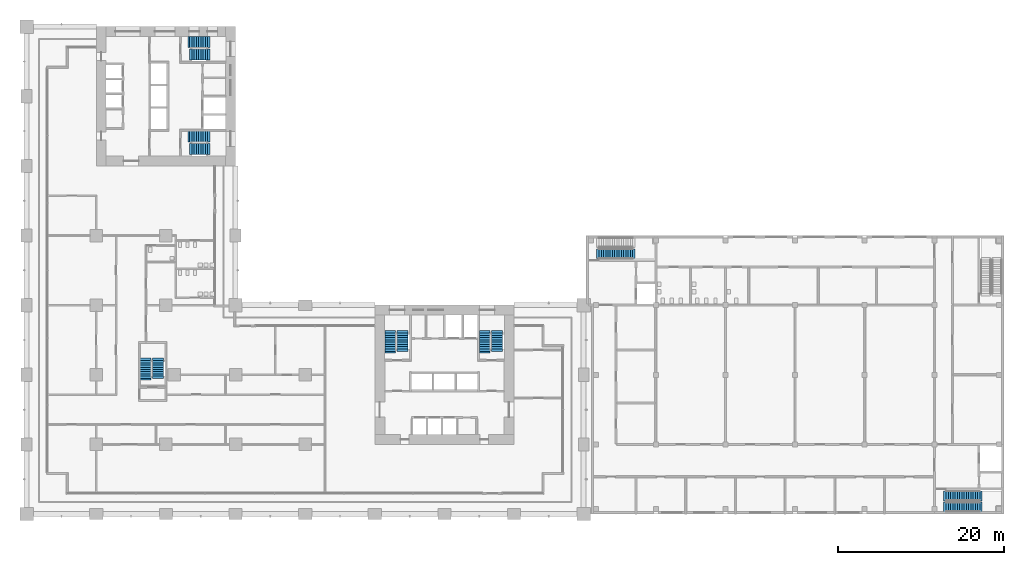
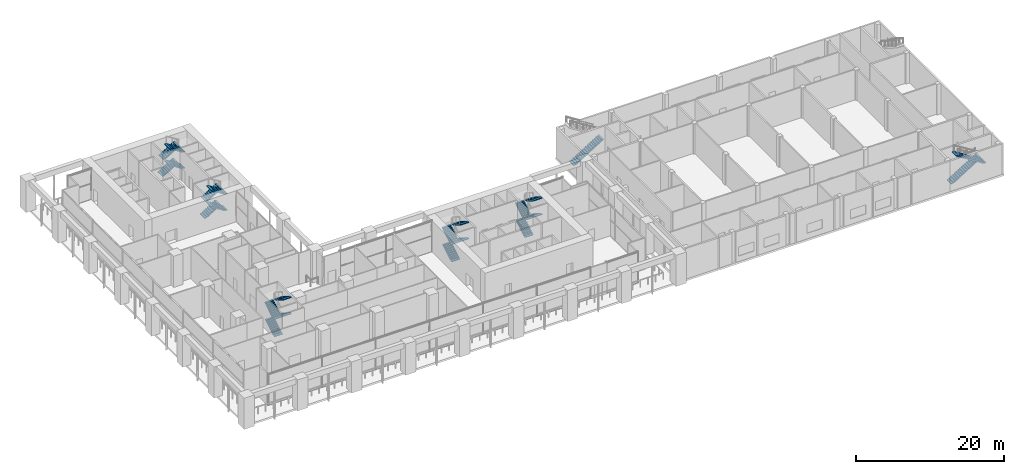
# One storey, part 22 of 32: 23 stair flights, 7 elements without a shape of their own.
"""IFC4 building model written with IfcOpenShell, lengths in metres."""

from ifc_helpers import new_model, si_unit, direction, frame, origin, place, context, subcontext, project, spatial, polyline, outline, extrude, material, type_object, element, aggregate, save


model = new_model("IFC4")

# Units and contexts
model_context = context("Model", 3, precision=1e-05, world=origin(), true_north=direction((0.0, 1.0)))
body_context = subcontext(model_context, "Body", "Model", "MODEL_VIEW")
ifc_project = project(units=[si_unit("LENGTHUNIT", "METRE"), si_unit("AREAUNIT", "SQUARE_METRE"), si_unit("VOLUMEUNIT", "CUBIC_METRE"), si_unit("PLANEANGLEUNIT", "RADIAN"), si_unit("MASSUNIT", "GRAM", prefix="KILO")], contexts=[model_context])

# Site, building, storey
site_placement = place(None, origin())
site = spatial("IfcSite", under=ifc_project, at=site_placement, CompositionType="ELEMENT")
building_placement = place(site_placement, origin())
building = spatial("IfcBuilding", under=site, at=building_placement, Name="Vermilion Gate Residences", CompositionType="ELEMENT")
storey_placement = place(building_placement, frame((0.0, 0.0, 19.800048828125)))
storey = spatial("IfcBuildingStorey", under=building, at=storey_placement, Name="L03", CompositionType="ELEMENT", Elevation=19.800048828125)

# Stair, stair flight
ifc_material_1 = material(Name="Concrete C35", Category="concrete")
stair_type_1 = type_object("IfcStairType", Name="RC STAIR 1200 (MARKET HALL)", PredefinedType="HALF_TURN_STAIR", material=ifc_material_1)
stair_1_placement = place(storey_placement, origin())
stair_1 = element("IfcStair", 1, at=stair_1_placement, inside=storey, type_object=stair_type_1, Name="Stair STH1-03", PredefinedType="HALF_TURN_STAIR")
ifc_material_2 = material(Name="Concrete C35", Category="concrete")
stair_flight_type_1 = type_object("IfcStairFlightType", Name="RC STAIR FLIGHT 1200 (MARKET HALL)", PredefinedType="STRAIGHT", material=ifc_material_2)
stair_flight_1_placement = place(storey_placement, frame((69.050048828125, 31.39990234375, 0.0), z_axis=(0.0, 0.0, 1.0), x_axis=(1.0, 0.0, 0.0)))
stair_flight_1 = element("IfcStairFlight", 2, at=stair_flight_1_placement, type_object=stair_flight_type_1, Name="STH1-03 flight 1", NumberOfRisers=16, NumberOfTreads=15, PredefinedType="STRAIGHT", RiserHeight=0.16875, TreadLength=0.27, context=body_context, shape_type="SweptSolid", body=[
    extrude(outline(polyline([(-0.300048828125, -0.14990234375), (-0.300048828125, -0.030029296875), (0.0, 0.0), (0.0, 0.168701171875), (0.27001953125, 0.168701171875), (0.27001953125, 0.33740234375), (0.5400390625, 0.33740234375), (0.5400390625, 0.50634765625), (0.81005859375, 0.50634765625), (0.81005859375, 0.675048828125), (1.080078125, 0.675048828125), (1.080078125, 0.84375), (1.35009765625, 0.84375), (1.35009765625, 1.012451171875), (1.6201171875, 1.012451171875), (1.6201171875, 1.18115234375), (1.889892578125, 1.18115234375), (1.889892578125, 1.35009765625), (2.159912109375, 1.35009765625), (2.159912109375, 1.518798828125), (2.429931640625, 1.518798828125), (2.429931640625, 1.6875), (2.699951171875, 1.6875), (2.699951171875, 1.856201171875), (2.969970703125, 1.856201171875), (2.969970703125, 2.02490234375), (3.239990234375, 2.02490234375), (3.239990234375, 2.19384765625), (3.510009765625, 2.19384765625), (3.510009765625, 2.362548828125), (3.780029296875, 2.362548828125), (3.780029296875, 2.53125), (4.050048828125, 2.53125), (4.050048828125, 2.699951171875), (4.35009765625, 2.669921875), (4.35009765625, 2.550048828125), (4.050048828125, 2.3544921875), (0.28271484375, 0.0), (-0.300048828125, -0.14990234375)])), frame((0.0, 0.60009765625, 0.0), z_axis=(0.0, -1.0, 0.0), x_axis=(1.0, 0.0, 0.0)), (0.0, 0.0, 1.0), 1.199951171875),
])
aggregate(stair_1, [stair_flight_1])

# Stair, stair flights
stair_2_placement = place(storey_placement, origin())
stair_2 = element("IfcStair", 3, at=stair_2_placement, inside=storey, type_object=stair_type_1, Name="Stair STH2-03", PredefinedType="HALF_TURN_STAIR")
stair_flight_2_placement = place(storey_placement, frame((110.925048828125, 2.199951171875, 0.0), z_axis=(0.0, 0.0, 1.0), x_axis=(1.0, 0.0, 0.0)))
stair_flight_2 = element("IfcStairFlight", 4, at=stair_flight_2_placement, type_object=stair_flight_type_1, Name="STH2-03 flight 1", NumberOfRisers=16, NumberOfTreads=15, PredefinedType="STRAIGHT", RiserHeight=0.16875, TreadLength=0.27, context=body_context, shape_type="SweptSolid", body=[
    extrude(outline(polyline([(-0.300048828125, -0.14990234375), (-0.300048828125, -0.030029296875), (0.0, 0.0), (0.0, 0.168701171875), (0.27001953125, 0.168701171875), (0.27001953125, 0.33740234375), (0.5400390625, 0.33740234375), (0.5400390625, 0.50634765625), (0.81005859375, 0.50634765625), (0.81005859375, 0.675048828125), (1.080078125, 0.675048828125), (1.080078125, 0.84375), (1.35009765625, 0.84375), (1.35009765625, 1.012451171875), (1.6201171875, 1.012451171875), (1.6201171875, 1.18115234375), (1.889892578125, 1.18115234375), (1.889892578125, 1.35009765625), (2.159912109375, 1.35009765625), (2.159912109375, 1.518798828125), (2.429931640625, 1.518798828125), (2.429931640625, 1.6875), (2.699951171875, 1.6875), (2.699951171875, 1.856201171875), (2.969970703125, 1.856201171875), (2.969970703125, 2.02490234375), (3.239990234375, 2.02490234375), (3.239990234375, 2.19384765625), (3.510009765625, 2.19384765625), (3.510009765625, 2.362548828125), (3.780029296875, 2.362548828125), (3.780029296875, 2.53125), (4.050048828125, 2.53125), (4.050048828125, 2.699951171875), (4.35009765625, 2.669921875), (4.35009765625, 2.550048828125), (4.050048828125, 2.3544921875), (0.28271484375, 0.0), (-0.300048828125, -0.14990234375)])), frame((0.0, 0.60009765625, 0.0), z_axis=(0.0, -1.0, 0.0), x_axis=(1.0, 0.0, 0.0)), (0.0, 0.0, 1.0), 1.199951171875),
])
stair_flight_3_placement = place(storey_placement, frame((114.97509765625, 0.85009765625, 2.699951171875), z_axis=(0.0, 0.0, 1.0), x_axis=(-1.0, 0.0, 0.0)))
stair_flight_3 = element("IfcStairFlight", 5, at=stair_flight_3_placement, type_object=stair_flight_type_1, Name="STH2-03 flight 2", NumberOfRisers=16, NumberOfTreads=15, PredefinedType="STRAIGHT", RiserHeight=0.16875, TreadLength=0.27, context=body_context, shape_type="SweptSolid", body=[
    extrude(outline(polyline([(-0.300048828125, -0.14990234375), (-0.300048828125, -0.030029296875), (0.0, 0.0), (0.0, 0.168701171875), (0.27001953125, 0.168701171875), (0.27001953125, 0.33740234375), (0.5400390625, 0.33740234375), (0.5400390625, 0.50634765625), (0.81005859375, 0.50634765625), (0.81005859375, 0.675048828125), (1.080078125, 0.675048828125), (1.080078125, 0.84375), (1.35009765625, 0.84375), (1.35009765625, 1.012451171875), (1.6201171875, 1.012451171875), (1.6201171875, 1.18115234375), (1.889892578125, 1.18115234375), (1.889892578125, 1.35009765625), (2.159912109375, 1.35009765625), (2.159912109375, 1.518798828125), (2.429931640625, 1.518798828125), (2.429931640625, 1.6875), (2.699951171875, 1.6875), (2.699951171875, 1.856201171875), (2.969970703125, 1.856201171875), (2.969970703125, 2.02490234375), (3.239990234375, 2.02490234375), (3.239990234375, 2.19384765625), (3.510009765625, 2.19384765625), (3.510009765625, 2.362548828125), (3.780029296875, 2.362548828125), (3.780029296875, 2.53125), (4.050048828125, 2.53125), (4.050048828125, 2.699951171875), (4.35009765625, 2.669921875), (4.35009765625, 2.550048828125), (4.050048828125, 2.3544921875), (0.28271484375, 0.0), (-0.300048828125, -0.14990234375)])), frame((0.0, 0.60009765625, 0.0), z_axis=(0.0, -1.0, 0.0), x_axis=(1.0, 0.0, 0.0)), (0.0, 0.0, 1.0), 1.199951171875),
])
aggregate(stair_2, [stair_flight_2, stair_flight_3])

ifc_material_3 = material(Name="Concrete C50", Category="concrete")
stair_type_2 = type_object("IfcStairType", Name="SPECIAL ESCAPE STAIR 1300", PredefinedType="HALF_TURN_STAIR", material=ifc_material_3)
stair_3_placement = place(storey_placement, origin())
stair_3 = element("IfcStair", 6, at=stair_3_placement, inside=storey, type_object=stair_type_2, Name="Special escape stair STA1-03", PredefinedType="HALF_TURN_STAIR")
ifc_material_4 = material(Name="Concrete C50", Category="concrete")
stair_flight_type_2 = type_object("IfcStairFlightType", Name="STAIR FLIGHT 1300 RC C50", PredefinedType="STRAIGHT", material=ifc_material_4)
stair_flight_4_placement = place(storey_placement, frame((43.85009765625, 19.75, 0.0), z_axis=(0.0, 0.0, 1.0), x_axis=(0.0, 1.0, 0.0)))
stair_flight_4 = element("IfcStairFlight", 7, at=stair_flight_4_placement, type_object=stair_flight_type_2, Name="STA1-03 flight 1", NumberOfRisers=8, NumberOfTreads=7, PredefinedType="STRAIGHT", RiserHeight=0.16875, TreadLength=0.27, context=body_context, shape_type="SweptSolid", body=[
    extrude(outline(polyline([(-0.300048828125, -0.14990234375), (-0.300048828125, -0.030029296875), (0.0, 0.0), (0.0, 0.168701171875), (0.27001953125, 0.168701171875), (0.27001953125, 0.33740234375), (0.5400390625, 0.33740234375), (0.5400390625, 0.50634765625), (0.81005859375, 0.50634765625), (0.81005859375, 0.675048828125), (1.080078125, 0.675048828125), (1.080078125, 0.84375), (1.35009765625, 0.84375), (1.35009765625, 1.012451171875), (1.6201171875, 1.012451171875), (1.6201171875, 1.18115234375), (1.889892578125, 1.18115234375), (1.889892578125, 1.35009765625), (2.18994140625, 1.320068359375), (2.18994140625, 1.2001953125), (1.889892578125, 1.00439453125), (0.28271484375, 0.0), (-0.300048828125, -0.14990234375)])), frame((0.0, 0.64990234375, 0.0), z_axis=(0.0, -1.0, 0.0), x_axis=(1.0, 0.0, 0.0)), (0.0, 0.0, 1.0), 1.300048828125),
])
stair_flight_5_placement = place(storey_placement, frame((45.35009765625, 21.820068359375, 1.349853515625), z_axis=(0.0, 0.0, 1.0), x_axis=(0.0, -1.0, 0.0)))
stair_flight_5 = element("IfcStairFlight", 8, at=stair_flight_5_placement, type_object=stair_flight_type_2, Name="STA1-03 flight 2", NumberOfRisers=8, NumberOfTreads=7, PredefinedType="STRAIGHT", RiserHeight=0.16875, TreadLength=0.27, context=body_context, shape_type="SweptSolid", body=[
    extrude(outline(polyline([(-0.300048828125, -0.14990234375), (-0.300048828125, -0.030029296875), (0.0, 0.0), (0.0, 0.168701171875), (0.27001953125, 0.168701171875), (0.27001953125, 0.33740234375), (0.5400390625, 0.33740234375), (0.5400390625, 0.50634765625), (0.81005859375, 0.50634765625), (0.81005859375, 0.675048828125), (1.080078125, 0.675048828125), (1.080078125, 0.84375), (1.35009765625, 0.84375), (1.35009765625, 1.012451171875), (1.6201171875, 1.012451171875), (1.6201171875, 1.18115234375), (1.889892578125, 1.18115234375), (1.889892578125, 1.35009765625), (2.18994140625, 1.320068359375), (2.18994140625, 1.2001953125), (1.889892578125, 1.00439453125), (0.28271484375, 0.0), (-0.300048828125, -0.14990234375)])), frame((0.0, 0.64990234375, 0.0), z_axis=(0.0, -1.0, 0.0), x_axis=(1.0, 0.0, 0.0)), (0.0, 0.0, 1.0), 1.300048828125),
])
stair_flight_6_placement = place(storey_placement, frame((43.85009765625, 19.929931640625, 2.699951171875), z_axis=(0.0, 0.0, 1.0), x_axis=(0.0, 1.0, 0.0)))
stair_flight_6 = element("IfcStairFlight", 9, at=stair_flight_6_placement, type_object=stair_flight_type_2, Name="STA1-03 flight 3", NumberOfRisers=8, NumberOfTreads=7, PredefinedType="STRAIGHT", RiserHeight=0.16875, TreadLength=0.27, context=body_context, shape_type="SweptSolid", body=[
    extrude(outline(polyline([(-0.300048828125, -0.14990234375), (-0.300048828125, -0.030029296875), (0.0, 0.0), (0.0, 0.168701171875), (0.27001953125, 0.168701171875), (0.27001953125, 0.33740234375), (0.5400390625, 0.33740234375), (0.5400390625, 0.50634765625), (0.81005859375, 0.50634765625), (0.81005859375, 0.675048828125), (1.080078125, 0.675048828125), (1.080078125, 0.84375), (1.35009765625, 0.84375), (1.35009765625, 1.012451171875), (1.6201171875, 1.012451171875), (1.6201171875, 1.18115234375), (1.889892578125, 1.18115234375), (1.889892578125, 1.35009765625), (2.18994140625, 1.320068359375), (2.18994140625, 1.2001953125), (1.889892578125, 1.00439453125), (0.28271484375, 0.0), (-0.300048828125, -0.14990234375)])), frame((0.0, 0.64990234375, 0.0), z_axis=(0.0, -1.0, 0.0), x_axis=(1.0, 0.0, 0.0)), (0.0, 0.0, 1.0), 1.300048828125),
])
stair_flight_7_placement = place(storey_placement, frame((45.35009765625, 21.820068359375, 4.050048828125), z_axis=(0.0, 0.0, 1.0), x_axis=(0.0, -1.0, 0.0)))
stair_flight_7 = element("IfcStairFlight", 10, at=stair_flight_7_placement, type_object=stair_flight_type_2, Name="STA1-03 flight 4", NumberOfRisers=8, NumberOfTreads=7, PredefinedType="STRAIGHT", RiserHeight=0.16875, TreadLength=0.27, context=body_context, shape_type="SweptSolid", body=[
    extrude(outline(polyline([(-0.300048828125, -0.14990234375), (-0.300048828125, -0.030029296875), (0.0, 0.0), (0.0, 0.168701171875), (0.27001953125, 0.168701171875), (0.27001953125, 0.33740234375), (0.5400390625, 0.33740234375), (0.5400390625, 0.50634765625), (0.81005859375, 0.50634765625), (0.81005859375, 0.675048828125), (1.080078125, 0.675048828125), (1.080078125, 0.84375), (1.35009765625, 0.84375), (1.35009765625, 1.012451171875), (1.6201171875, 1.012451171875), (1.6201171875, 1.18115234375), (1.889892578125, 1.18115234375), (1.889892578125, 1.35009765625), (2.18994140625, 1.320068359375), (2.18994140625, 1.2001953125), (1.889892578125, 1.00439453125), (0.28271484375, 0.0), (-0.300048828125, -0.14990234375)])), frame((0.0, 0.64990234375, 0.0), z_axis=(0.0, -1.0, 0.0), x_axis=(1.0, 0.0, 0.0)), (0.0, 0.0, 1.0), 1.300048828125),
])
aggregate(stair_3, [stair_flight_4, stair_flight_5, stair_flight_6, stair_flight_7])

stair_4_placement = place(storey_placement, origin())
stair_4 = element("IfcStair", 11, at=stair_4_placement, inside=storey, type_object=stair_type_2, Name="Special escape stair STA2-03", PredefinedType="HALF_TURN_STAIR")
stair_flight_8_placement = place(storey_placement, frame((55.25, 19.75, 0.0), z_axis=(0.0, 0.0, 1.0), x_axis=(0.0, 1.0, 0.0)))
stair_flight_8 = element("IfcStairFlight", 12, at=stair_flight_8_placement, type_object=stair_flight_type_2, Name="STA2-03 flight 1", NumberOfRisers=8, NumberOfTreads=7, PredefinedType="STRAIGHT", RiserHeight=0.16875, TreadLength=0.27, context=body_context, shape_type="SweptSolid", body=[
    extrude(outline(polyline([(-0.300048828125, -0.14990234375), (-0.300048828125, -0.030029296875), (0.0, 0.0), (0.0, 0.168701171875), (0.27001953125, 0.168701171875), (0.27001953125, 0.33740234375), (0.5400390625, 0.33740234375), (0.5400390625, 0.50634765625), (0.81005859375, 0.50634765625), (0.81005859375, 0.675048828125), (1.080078125, 0.675048828125), (1.080078125, 0.84375), (1.35009765625, 0.84375), (1.35009765625, 1.012451171875), (1.6201171875, 1.012451171875), (1.6201171875, 1.18115234375), (1.889892578125, 1.18115234375), (1.889892578125, 1.35009765625), (2.18994140625, 1.320068359375), (2.18994140625, 1.2001953125), (1.889892578125, 1.00439453125), (0.28271484375, 0.0), (-0.300048828125, -0.14990234375)])), frame((0.0, 0.64990234375, 0.0), z_axis=(0.0, -1.0, 0.0), x_axis=(1.0, 0.0, 0.0)), (0.0, 0.0, 1.0), 1.300048828125),
])
stair_flight_9_placement = place(storey_placement, frame((56.75, 21.820068359375, 1.349853515625), z_axis=(0.0, 0.0, 1.0), x_axis=(0.0, -1.0, 0.0)))
stair_flight_9 = element("IfcStairFlight", 13, at=stair_flight_9_placement, type_object=stair_flight_type_2, Name="STA2-03 flight 2", NumberOfRisers=8, NumberOfTreads=7, PredefinedType="STRAIGHT", RiserHeight=0.16875, TreadLength=0.27, context=body_context, shape_type="SweptSolid", body=[
    extrude(outline(polyline([(-0.300048828125, -0.14990234375), (-0.300048828125, -0.030029296875), (0.0, 0.0), (0.0, 0.168701171875), (0.27001953125, 0.168701171875), (0.27001953125, 0.33740234375), (0.5400390625, 0.33740234375), (0.5400390625, 0.50634765625), (0.81005859375, 0.50634765625), (0.81005859375, 0.675048828125), (1.080078125, 0.675048828125), (1.080078125, 0.84375), (1.35009765625, 0.84375), (1.35009765625, 1.012451171875), (1.6201171875, 1.012451171875), (1.6201171875, 1.18115234375), (1.889892578125, 1.18115234375), (1.889892578125, 1.35009765625), (2.18994140625, 1.320068359375), (2.18994140625, 1.2001953125), (1.889892578125, 1.00439453125), (0.28271484375, 0.0), (-0.300048828125, -0.14990234375)])), frame((0.0, 0.64990234375, 0.0), z_axis=(0.0, -1.0, 0.0), x_axis=(1.0, 0.0, 0.0)), (0.0, 0.0, 1.0), 1.300048828125),
])
stair_flight_10_placement = place(storey_placement, frame((55.25, 19.929931640625, 2.699951171875), z_axis=(0.0, 0.0, 1.0), x_axis=(0.0, 1.0, 0.0)))
stair_flight_10 = element("IfcStairFlight", 14, at=stair_flight_10_placement, type_object=stair_flight_type_2, Name="STA2-03 flight 3", NumberOfRisers=8, NumberOfTreads=7, PredefinedType="STRAIGHT", RiserHeight=0.16875, TreadLength=0.27, context=body_context, shape_type="SweptSolid", body=[
    extrude(outline(polyline([(-0.300048828125, -0.14990234375), (-0.300048828125, -0.030029296875), (0.0, 0.0), (0.0, 0.168701171875), (0.27001953125, 0.168701171875), (0.27001953125, 0.33740234375), (0.5400390625, 0.33740234375), (0.5400390625, 0.50634765625), (0.81005859375, 0.50634765625), (0.81005859375, 0.675048828125), (1.080078125, 0.675048828125), (1.080078125, 0.84375), (1.35009765625, 0.84375), (1.35009765625, 1.012451171875), (1.6201171875, 1.012451171875), (1.6201171875, 1.18115234375), (1.889892578125, 1.18115234375), (1.889892578125, 1.35009765625), (2.18994140625, 1.320068359375), (2.18994140625, 1.2001953125), (1.889892578125, 1.00439453125), (0.28271484375, 0.0), (-0.300048828125, -0.14990234375)])), frame((0.0, 0.64990234375, 0.0), z_axis=(0.0, -1.0, 0.0), x_axis=(1.0, 0.0, 0.0)), (0.0, 0.0, 1.0), 1.300048828125),
])
stair_flight_11_placement = place(storey_placement, frame((56.75, 21.820068359375, 4.050048828125), z_axis=(0.0, 0.0, 1.0), x_axis=(0.0, -1.0, 0.0)))
stair_flight_11 = element("IfcStairFlight", 15, at=stair_flight_11_placement, type_object=stair_flight_type_2, Name="STA2-03 flight 4", NumberOfRisers=8, NumberOfTreads=7, PredefinedType="STRAIGHT", RiserHeight=0.16875, TreadLength=0.27, context=body_context, shape_type="SweptSolid", body=[
    extrude(outline(polyline([(-0.300048828125, -0.14990234375), (-0.300048828125, -0.030029296875), (0.0, 0.0), (0.0, 0.168701171875), (0.27001953125, 0.168701171875), (0.27001953125, 0.33740234375), (0.5400390625, 0.33740234375), (0.5400390625, 0.50634765625), (0.81005859375, 0.50634765625), (0.81005859375, 0.675048828125), (1.080078125, 0.675048828125), (1.080078125, 0.84375), (1.35009765625, 0.84375), (1.35009765625, 1.012451171875), (1.6201171875, 1.012451171875), (1.6201171875, 1.18115234375), (1.889892578125, 1.18115234375), (1.889892578125, 1.35009765625), (2.18994140625, 1.320068359375), (2.18994140625, 1.2001953125), (1.889892578125, 1.00439453125), (0.28271484375, 0.0), (-0.300048828125, -0.14990234375)])), frame((0.0, 0.64990234375, 0.0), z_axis=(0.0, -1.0, 0.0), x_axis=(1.0, 0.0, 0.0)), (0.0, 0.0, 1.0), 1.300048828125),
])
aggregate(stair_4, [stair_flight_8, stair_flight_9, stair_flight_10, stair_flight_11])

stair_5_placement = place(storey_placement, origin())
stair_5 = element("IfcStair", 16, at=stair_5_placement, inside=storey, type_object=stair_type_2, Name="Special escape stair STB1-03", PredefinedType="HALF_TURN_STAIR")
stair_flight_12_placement = place(storey_placement, frame((19.75, 56.949951171875, 0.0), z_axis=(0.0, 0.0, 1.0), x_axis=(1.0, 0.0, 0.0)))
stair_flight_12 = element("IfcStairFlight", 17, at=stair_flight_12_placement, type_object=stair_flight_type_2, Name="STB1-03 flight 1", NumberOfRisers=8, NumberOfTreads=7, PredefinedType="STRAIGHT", RiserHeight=0.16875, TreadLength=0.27, context=body_context, shape_type="SweptSolid", body=[
    extrude(outline(polyline([(-0.300048828125, -0.14990234375), (-0.300048828125, -0.030029296875), (0.0, 0.0), (0.0, 0.168701171875), (0.27001953125, 0.168701171875), (0.27001953125, 0.33740234375), (0.5400390625, 0.33740234375), (0.5400390625, 0.50634765625), (0.81005859375, 0.50634765625), (0.81005859375, 0.675048828125), (1.080078125, 0.675048828125), (1.080078125, 0.84375), (1.35009765625, 0.84375), (1.35009765625, 1.012451171875), (1.6201171875, 1.012451171875), (1.6201171875, 1.18115234375), (1.889892578125, 1.18115234375), (1.889892578125, 1.35009765625), (2.18994140625, 1.320068359375), (2.18994140625, 1.2001953125), (1.889892578125, 1.00439453125), (0.28271484375, 0.0), (-0.300048828125, -0.14990234375)])), frame((0.0, 0.64990234375, 0.0), z_axis=(0.0, -1.0, 0.0), x_axis=(1.0, 0.0, 0.0)), (0.0, 0.0, 1.0), 1.300048828125),
])
stair_flight_13_placement = place(storey_placement, frame((21.820068359375, 55.449951171875, 1.349853515625), z_axis=(0.0, 0.0, 1.0), x_axis=(-1.0, 0.0, 0.0)))
stair_flight_13 = element("IfcStairFlight", 18, at=stair_flight_13_placement, type_object=stair_flight_type_2, Name="STB1-03 flight 2", NumberOfRisers=8, NumberOfTreads=7, PredefinedType="STRAIGHT", RiserHeight=0.16875, TreadLength=0.27, context=body_context, shape_type="SweptSolid", body=[
    extrude(outline(polyline([(-0.300048828125, -0.14990234375), (-0.300048828125, -0.030029296875), (0.0, 0.0), (0.0, 0.168701171875), (0.27001953125, 0.168701171875), (0.27001953125, 0.33740234375), (0.5400390625, 0.33740234375), (0.5400390625, 0.50634765625), (0.81005859375, 0.50634765625), (0.81005859375, 0.675048828125), (1.080078125, 0.675048828125), (1.080078125, 0.84375), (1.35009765625, 0.84375), (1.35009765625, 1.012451171875), (1.6201171875, 1.012451171875), (1.6201171875, 1.18115234375), (1.889892578125, 1.18115234375), (1.889892578125, 1.35009765625), (2.18994140625, 1.320068359375), (2.18994140625, 1.2001953125), (1.889892578125, 1.00439453125), (0.28271484375, 0.0), (-0.300048828125, -0.14990234375)])), frame((0.0, 0.64990234375, 0.0), z_axis=(0.0, -1.0, 0.0), x_axis=(1.0, 0.0, 0.0)), (0.0, 0.0, 1.0), 1.300048828125),
])
stair_flight_14_placement = place(storey_placement, frame((19.929931640625, 56.949951171875, 2.699951171875), z_axis=(0.0, 0.0, 1.0), x_axis=(1.0, 0.0, 0.0)))
stair_flight_14 = element("IfcStairFlight", 19, at=stair_flight_14_placement, type_object=stair_flight_type_2, Name="STB1-03 flight 3", NumberOfRisers=8, NumberOfTreads=7, PredefinedType="STRAIGHT", RiserHeight=0.16875, TreadLength=0.27, context=body_context, shape_type="SweptSolid", body=[
    extrude(outline(polyline([(-0.300048828125, -0.14990234375), (-0.300048828125, -0.030029296875), (0.0, 0.0), (0.0, 0.168701171875), (0.27001953125, 0.168701171875), (0.27001953125, 0.33740234375), (0.5400390625, 0.33740234375), (0.5400390625, 0.50634765625), (0.81005859375, 0.50634765625), (0.81005859375, 0.675048828125), (1.080078125, 0.675048828125), (1.080078125, 0.84375), (1.35009765625, 0.84375), (1.35009765625, 1.012451171875), (1.6201171875, 1.012451171875), (1.6201171875, 1.18115234375), (1.889892578125, 1.18115234375), (1.889892578125, 1.35009765625), (2.18994140625, 1.320068359375), (2.18994140625, 1.2001953125), (1.889892578125, 1.00439453125), (0.28271484375, 0.0), (-0.300048828125, -0.14990234375)])), frame((0.0, 0.64990234375, 0.0), z_axis=(0.0, -1.0, 0.0), x_axis=(1.0, 0.0, 0.0)), (0.0, 0.0, 1.0), 1.300048828125),
])
stair_flight_15_placement = place(storey_placement, frame((21.820068359375, 55.449951171875, 4.050048828125), z_axis=(0.0, 0.0, 1.0), x_axis=(-1.0, 0.0, 0.0)))
stair_flight_15 = element("IfcStairFlight", 20, at=stair_flight_15_placement, type_object=stair_flight_type_2, Name="STB1-03 flight 4", NumberOfRisers=8, NumberOfTreads=7, PredefinedType="STRAIGHT", RiserHeight=0.16875, TreadLength=0.27, context=body_context, shape_type="SweptSolid", body=[
    extrude(outline(polyline([(-0.300048828125, -0.14990234375), (-0.300048828125, -0.030029296875), (0.0, 0.0), (0.0, 0.168701171875), (0.27001953125, 0.168701171875), (0.27001953125, 0.33740234375), (0.5400390625, 0.33740234375), (0.5400390625, 0.50634765625), (0.81005859375, 0.50634765625), (0.81005859375, 0.675048828125), (1.080078125, 0.675048828125), (1.080078125, 0.84375), (1.35009765625, 0.84375), (1.35009765625, 1.012451171875), (1.6201171875, 1.012451171875), (1.6201171875, 1.18115234375), (1.889892578125, 1.18115234375), (1.889892578125, 1.35009765625), (2.18994140625, 1.320068359375), (2.18994140625, 1.2001953125), (1.889892578125, 1.00439453125), (0.28271484375, 0.0), (-0.300048828125, -0.14990234375)])), frame((0.0, 0.64990234375, 0.0), z_axis=(0.0, -1.0, 0.0), x_axis=(1.0, 0.0, 0.0)), (0.0, 0.0, 1.0), 1.300048828125),
])
aggregate(stair_5, [stair_flight_12, stair_flight_13, stair_flight_14, stair_flight_15])

stair_6_placement = place(storey_placement, origin())
stair_6 = element("IfcStair", 21, at=stair_6_placement, inside=storey, type_object=stair_type_2, Name="Special escape stair STB2-03", PredefinedType="HALF_TURN_STAIR")
stair_flight_16_placement = place(storey_placement, frame((19.75, 45.550048828125, 0.0), z_axis=(0.0, 0.0, 1.0), x_axis=(1.0, 0.0, 0.0)))
stair_flight_16 = element("IfcStairFlight", 22, at=stair_flight_16_placement, type_object=stair_flight_type_2, Name="STB2-03 flight 1", NumberOfRisers=8, NumberOfTreads=7, PredefinedType="STRAIGHT", RiserHeight=0.16875, TreadLength=0.27, context=body_context, shape_type="SweptSolid", body=[
    extrude(outline(polyline([(-0.300048828125, -0.14990234375), (-0.300048828125, -0.030029296875), (0.0, 0.0), (0.0, 0.168701171875), (0.27001953125, 0.168701171875), (0.27001953125, 0.33740234375), (0.5400390625, 0.33740234375), (0.5400390625, 0.50634765625), (0.81005859375, 0.50634765625), (0.81005859375, 0.675048828125), (1.080078125, 0.675048828125), (1.080078125, 0.84375), (1.35009765625, 0.84375), (1.35009765625, 1.012451171875), (1.6201171875, 1.012451171875), (1.6201171875, 1.18115234375), (1.889892578125, 1.18115234375), (1.889892578125, 1.35009765625), (2.18994140625, 1.320068359375), (2.18994140625, 1.2001953125), (1.889892578125, 1.00439453125), (0.28271484375, 0.0), (-0.300048828125, -0.14990234375)])), frame((0.0, 0.64990234375, 0.0), z_axis=(0.0, -1.0, 0.0), x_axis=(1.0, 0.0, 0.0)), (0.0, 0.0, 1.0), 1.300048828125),
])
stair_flight_17_placement = place(storey_placement, frame((21.820068359375, 44.050048828125, 1.349853515625), z_axis=(0.0, 0.0, 1.0), x_axis=(-1.0, 0.0, 0.0)))
stair_flight_17 = element("IfcStairFlight", 23, at=stair_flight_17_placement, type_object=stair_flight_type_2, Name="STB2-03 flight 2", NumberOfRisers=8, NumberOfTreads=7, PredefinedType="STRAIGHT", RiserHeight=0.16875, TreadLength=0.27, context=body_context, shape_type="SweptSolid", body=[
    extrude(outline(polyline([(-0.300048828125, -0.14990234375), (-0.300048828125, -0.030029296875), (0.0, 0.0), (0.0, 0.168701171875), (0.27001953125, 0.168701171875), (0.27001953125, 0.33740234375), (0.5400390625, 0.33740234375), (0.5400390625, 0.50634765625), (0.81005859375, 0.50634765625), (0.81005859375, 0.675048828125), (1.080078125, 0.675048828125), (1.080078125, 0.84375), (1.35009765625, 0.84375), (1.35009765625, 1.012451171875), (1.6201171875, 1.012451171875), (1.6201171875, 1.18115234375), (1.889892578125, 1.18115234375), (1.889892578125, 1.35009765625), (2.18994140625, 1.320068359375), (2.18994140625, 1.2001953125), (1.889892578125, 1.00439453125), (0.28271484375, 0.0), (-0.300048828125, -0.14990234375)])), frame((0.0, 0.64990234375, 0.0), z_axis=(0.0, -1.0, 0.0), x_axis=(1.0, 0.0, 0.0)), (0.0, 0.0, 1.0), 1.300048828125),
])
stair_flight_18_placement = place(storey_placement, frame((19.929931640625, 45.550048828125, 2.699951171875), z_axis=(0.0, 0.0, 1.0), x_axis=(1.0, 0.0, 0.0)))
stair_flight_18 = element("IfcStairFlight", 24, at=stair_flight_18_placement, type_object=stair_flight_type_2, Name="STB2-03 flight 3", NumberOfRisers=8, NumberOfTreads=7, PredefinedType="STRAIGHT", RiserHeight=0.16875, TreadLength=0.27, context=body_context, shape_type="SweptSolid", body=[
    extrude(outline(polyline([(-0.300048828125, -0.14990234375), (-0.300048828125, -0.030029296875), (0.0, 0.0), (0.0, 0.168701171875), (0.27001953125, 0.168701171875), (0.27001953125, 0.33740234375), (0.5400390625, 0.33740234375), (0.5400390625, 0.50634765625), (0.81005859375, 0.50634765625), (0.81005859375, 0.675048828125), (1.080078125, 0.675048828125), (1.080078125, 0.84375), (1.35009765625, 0.84375), (1.35009765625, 1.012451171875), (1.6201171875, 1.012451171875), (1.6201171875, 1.18115234375), (1.889892578125, 1.18115234375), (1.889892578125, 1.35009765625), (2.18994140625, 1.320068359375), (2.18994140625, 1.2001953125), (1.889892578125, 1.00439453125), (0.28271484375, 0.0), (-0.300048828125, -0.14990234375)])), frame((0.0, 0.64990234375, 0.0), z_axis=(0.0, -1.0, 0.0), x_axis=(1.0, 0.0, 0.0)), (0.0, 0.0, 1.0), 1.300048828125),
])
stair_flight_19_placement = place(storey_placement, frame((21.820068359375, 44.050048828125, 4.050048828125), z_axis=(0.0, 0.0, 1.0), x_axis=(-1.0, 0.0, 0.0)))
stair_flight_19 = element("IfcStairFlight", 25, at=stair_flight_19_placement, type_object=stair_flight_type_2, Name="STB2-03 flight 4", NumberOfRisers=8, NumberOfTreads=7, PredefinedType="STRAIGHT", RiserHeight=0.16875, TreadLength=0.27, context=body_context, shape_type="SweptSolid", body=[
    extrude(outline(polyline([(-0.300048828125, -0.14990234375), (-0.300048828125, -0.030029296875), (0.0, 0.0), (0.0, 0.168701171875), (0.27001953125, 0.168701171875), (0.27001953125, 0.33740234375), (0.5400390625, 0.33740234375), (0.5400390625, 0.50634765625), (0.81005859375, 0.50634765625), (0.81005859375, 0.675048828125), (1.080078125, 0.675048828125), (1.080078125, 0.84375), (1.35009765625, 0.84375), (1.35009765625, 1.012451171875), (1.6201171875, 1.012451171875), (1.6201171875, 1.18115234375), (1.889892578125, 1.18115234375), (1.889892578125, 1.35009765625), (2.18994140625, 1.320068359375), (2.18994140625, 1.2001953125), (1.889892578125, 1.00439453125), (0.28271484375, 0.0), (-0.300048828125, -0.14990234375)])), frame((0.0, 0.64990234375, 0.0), z_axis=(0.0, -1.0, 0.0), x_axis=(1.0, 0.0, 0.0)), (0.0, 0.0, 1.0), 1.300048828125),
])
aggregate(stair_6, [stair_flight_16, stair_flight_17, stair_flight_18, stair_flight_19])

stair_7_placement = place(storey_placement, origin())
stair_7 = element("IfcStair", 26, at=stair_7_placement, inside=storey, type_object=stair_type_2, Name="Special escape stair STC1-03", PredefinedType="HALF_TURN_STAIR")
stair_flight_20_placement = place(storey_placement, frame((14.35009765625, 16.449951171875, 0.0), z_axis=(0.0, 0.0, 1.0), x_axis=(0.0, 1.0, 0.0)))
stair_flight_20 = element("IfcStairFlight", 27, at=stair_flight_20_placement, type_object=stair_flight_type_2, Name="STC1-03 flight 1", NumberOfRisers=8, NumberOfTreads=7, PredefinedType="STRAIGHT", RiserHeight=0.16875, TreadLength=0.27, context=body_context, shape_type="SweptSolid", body=[
    extrude(outline(polyline([(-0.300048828125, -0.14990234375), (-0.300048828125, -0.030029296875), (0.0, 0.0), (0.0, 0.168701171875), (0.27001953125, 0.168701171875), (0.27001953125, 0.33740234375), (0.5400390625, 0.33740234375), (0.5400390625, 0.50634765625), (0.81005859375, 0.50634765625), (0.81005859375, 0.675048828125), (1.080078125, 0.675048828125), (1.080078125, 0.84375), (1.35009765625, 0.84375), (1.35009765625, 1.012451171875), (1.6201171875, 1.012451171875), (1.6201171875, 1.18115234375), (1.889892578125, 1.18115234375), (1.889892578125, 1.35009765625), (2.18994140625, 1.320068359375), (2.18994140625, 1.2001953125), (1.889892578125, 1.00439453125), (0.28271484375, 0.0), (-0.300048828125, -0.14990234375)])), frame((0.0, 0.64990234375, 0.0), z_axis=(0.0, -1.0, 0.0), x_axis=(1.0, 0.0, 0.0)), (0.0, 0.0, 1.0), 1.300048828125),
])
stair_flight_21_placement = place(storey_placement, frame((15.85009765625, 18.52001953125, 1.349853515625), z_axis=(0.0, 0.0, 1.0), x_axis=(0.0, -1.0, 0.0)))
stair_flight_21 = element("IfcStairFlight", 28, at=stair_flight_21_placement, type_object=stair_flight_type_2, Name="STC1-03 flight 2", NumberOfRisers=8, NumberOfTreads=7, PredefinedType="STRAIGHT", RiserHeight=0.16875, TreadLength=0.27, context=body_context, shape_type="SweptSolid", body=[
    extrude(outline(polyline([(-0.300048828125, -0.14990234375), (-0.300048828125, -0.030029296875), (0.0, 0.0), (0.0, 0.168701171875), (0.27001953125, 0.168701171875), (0.27001953125, 0.33740234375), (0.5400390625, 0.33740234375), (0.5400390625, 0.50634765625), (0.81005859375, 0.50634765625), (0.81005859375, 0.675048828125), (1.080078125, 0.675048828125), (1.080078125, 0.84375), (1.35009765625, 0.84375), (1.35009765625, 1.012451171875), (1.6201171875, 1.012451171875), (1.6201171875, 1.18115234375), (1.889892578125, 1.18115234375), (1.889892578125, 1.35009765625), (2.18994140625, 1.320068359375), (2.18994140625, 1.2001953125), (1.889892578125, 1.00439453125), (0.28271484375, 0.0), (-0.300048828125, -0.14990234375)])), frame((0.0, 0.64990234375, 0.0), z_axis=(0.0, -1.0, 0.0), x_axis=(1.0, 0.0, 0.0)), (0.0, 0.0, 1.0), 1.300048828125),
])
stair_flight_22_placement = place(storey_placement, frame((14.35009765625, 16.6298828125, 2.699951171875), z_axis=(0.0, 0.0, 1.0), x_axis=(0.0, 1.0, 0.0)))
stair_flight_22 = element("IfcStairFlight", 29, at=stair_flight_22_placement, type_object=stair_flight_type_2, Name="STC1-03 flight 3", NumberOfRisers=8, NumberOfTreads=7, PredefinedType="STRAIGHT", RiserHeight=0.16875, TreadLength=0.27, context=body_context, shape_type="SweptSolid", body=[
    extrude(outline(polyline([(-0.300048828125, -0.14990234375), (-0.300048828125, -0.030029296875), (0.0, 0.0), (0.0, 0.168701171875), (0.27001953125, 0.168701171875), (0.27001953125, 0.33740234375), (0.5400390625, 0.33740234375), (0.5400390625, 0.50634765625), (0.81005859375, 0.50634765625), (0.81005859375, 0.675048828125), (1.080078125, 0.675048828125), (1.080078125, 0.84375), (1.35009765625, 0.84375), (1.35009765625, 1.012451171875), (1.6201171875, 1.012451171875), (1.6201171875, 1.18115234375), (1.889892578125, 1.18115234375), (1.889892578125, 1.35009765625), (2.18994140625, 1.320068359375), (2.18994140625, 1.2001953125), (1.889892578125, 1.00439453125), (0.28271484375, 0.0), (-0.300048828125, -0.14990234375)])), frame((0.0, 0.64990234375, 0.0), z_axis=(0.0, -1.0, 0.0), x_axis=(1.0, 0.0, 0.0)), (0.0, 0.0, 1.0), 1.300048828125),
])
stair_flight_23_placement = place(storey_placement, frame((15.85009765625, 18.52001953125, 4.050048828125), z_axis=(0.0, 0.0, 1.0), x_axis=(0.0, -1.0, 0.0)))
stair_flight_23 = element("IfcStairFlight", 30, at=stair_flight_23_placement, type_object=stair_flight_type_2, Name="STC1-03 flight 4", NumberOfRisers=8, NumberOfTreads=7, PredefinedType="STRAIGHT", RiserHeight=0.16875, TreadLength=0.27, context=body_context, shape_type="SweptSolid", body=[
    extrude(outline(polyline([(-0.300048828125, -0.14990234375), (-0.300048828125, -0.030029296875), (0.0, 0.0), (0.0, 0.168701171875), (0.27001953125, 0.168701171875), (0.27001953125, 0.33740234375), (0.5400390625, 0.33740234375), (0.5400390625, 0.50634765625), (0.81005859375, 0.50634765625), (0.81005859375, 0.675048828125), (1.080078125, 0.675048828125), (1.080078125, 0.84375), (1.35009765625, 0.84375), (1.35009765625, 1.012451171875), (1.6201171875, 1.012451171875), (1.6201171875, 1.18115234375), (1.889892578125, 1.18115234375), (1.889892578125, 1.35009765625), (2.18994140625, 1.320068359375), (2.18994140625, 1.2001953125), (1.889892578125, 1.00439453125), (0.28271484375, 0.0), (-0.300048828125, -0.14990234375)])), frame((0.0, 0.64990234375, 0.0), z_axis=(0.0, -1.0, 0.0), x_axis=(1.0, 0.0, 0.0)), (0.0, 0.0, 1.0), 1.300048828125),
])
aggregate(stair_7, [stair_flight_20, stair_flight_21, stair_flight_22, stair_flight_23])

save(model, "model.ifc")
